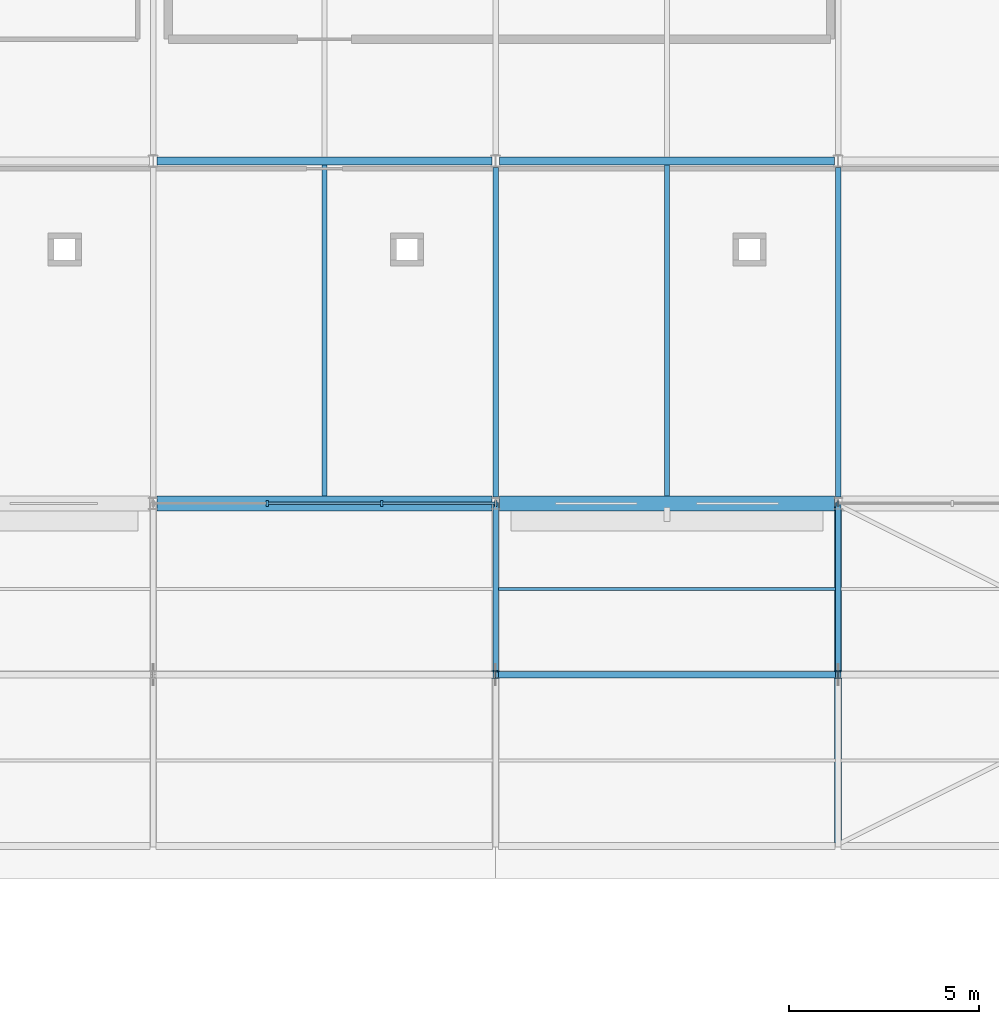
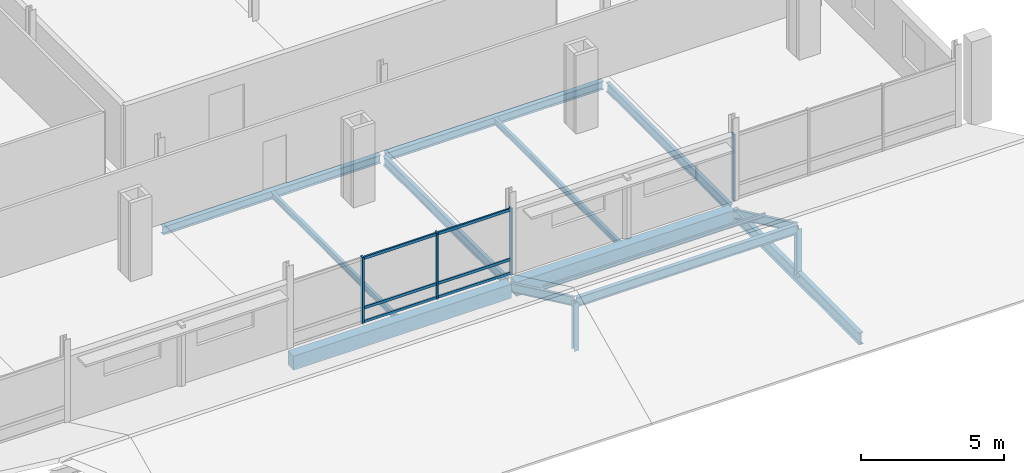
# One storey, part 80 of 132: 16 members, 9 beams, 2 elements without a shape of their own.
"""IFC4 building model written with IfcOpenShell, lengths in metres."""

import ifcopenshell
import ifcopenshell.guid

model = None  # the IFC model being written
_history = None  # IfcOwnerHistory: only IFC2X3 demands one
_inside = {}  # id of a spatial element -> (the spatial element, [elements in it])
_under = {}  # id of a project, library or spatial element -> (it, [spatial elements below it])
_declared = {}  # id of a project -> (the project, [libraries it declares])
_typed = {}  # id of a type object -> (the type object, [elements of that type])
_made_of = {}  # id of a material, layer set ... -> (it, [elements and type objects made of it])


def new_model(schema):
    """Start an empty IFC model of exactly this schema.

    Asked for "IFC4X3", IfcOpenShell would pick the latest addendum, in which some entities
    have other attributes; the version numbers below select the first issue.
    IFC2X3 requires an IfcOwnerHistory on every rooted entity: one is made here for all.
    """
    global model, _history
    if schema == "IFC4X3":
        model = ifcopenshell.file(schema_version=(4, 3, 0, 0))
    else:
        model = ifcopenshell.file(schema=schema)
    _inside.clear()
    _under.clear()
    _declared.clear()
    _typed.clear()
    _made_of.clear()
    _history = None
    if model.schema == "IFC2X3":
        org = make("IfcOrganization", Name="unknown")
        user = make(
            "IfcPersonAndOrganization",
            ThePerson=make("IfcPerson", FamilyName="unknown"),
            TheOrganization=org,
        )
        app = make(
            "IfcApplication",
            ApplicationDeveloper=org,
            Version="unknown",
            ApplicationFullName="unknown",
            ApplicationIdentifier="unknown",
        )
        _history = make(
            "IfcOwnerHistory",
            OwningUser=user,
            OwningApplication=app,
            ChangeAction="ADDED",
            CreationDate=0,
        )
    return model


def make(cls, **values):
    """One entity of the class cls with the attributes given. An attribute that is None is left unset."""
    return model.create_entity(
        cls, **{name: value for name, value in values.items() if value is not None}
    )


def rooted(cls, **values):
    """An entity with a GlobalId (a new one), such as an element, a storey or a relation."""
    return make(cls, GlobalId=ifcopenshell.guid.new(), OwnerHistory=_history, **values)


def si_unit(unit_type, name, prefix=None):
    """IfcSIUnit, for example si_unit("LENGTHUNIT", "METRE", prefix="MILLI")."""
    return make("IfcSIUnit", UnitType=unit_type, Prefix=prefix, Name=name)


def assignment(units):
    """IfcUnitAssignment: the units of a project."""
    return None if units is None else make("IfcUnitAssignment", Units=units)


def point(xyz):
    """IfcCartesianPoint."""
    return None if xyz is None else make("IfcCartesianPoint", Coordinates=xyz)


def direction(xyz):
    """IfcDirection."""
    return None if xyz is None else make("IfcDirection", DirectionRatios=xyz)


def frame(location, z_axis=None, x_axis=None):
    """IfcAxis2Placement3D, a coordinate frame: its origin and axes. An axis left out is left unset."""
    return make(
        "IfcAxis2Placement3D",
        Location=point(location),
        Axis=direction(z_axis),
        RefDirection=direction(x_axis),
    )


def frame_2d(location, x_axis=None):
    """IfcAxis2Placement2D, a coordinate frame in the plane: its origin and x axis."""
    return make(
        "IfcAxis2Placement2D", Location=point(location), RefDirection=direction(x_axis)
    )


def origin():
    """The frame at (0, 0, 0) with its axes left unset."""
    return frame((0.0, 0.0, 0.0))


def origin_2d():
    """The frame at (0, 0) in the plane with its x axis left unset."""
    return frame_2d((0.0, 0.0))


def place(relative_to, where):
    """IfcLocalPlacement: puts the frame where relative to a parent placement (None: the world)."""
    return make(
        "IfcLocalPlacement", PlacementRelTo=relative_to, RelativePlacement=where
    )


def context(
    kind, dimensions, precision=None, world=None, true_north=None, identifier=None
):
    """IfcGeometricRepresentationContext, for example the 3D "Model" context."""
    return make(
        "IfcGeometricRepresentationContext",
        ContextIdentifier=identifier,
        ContextType=kind,
        CoordinateSpaceDimension=dimensions,
        Precision=precision,
        WorldCoordinateSystem=world,
        TrueNorth=true_north,
    )


def subcontext(parent, identifier, kind, view, scale=None):
    """IfcGeometricRepresentationSubContext, for example "Body" below "Model"."""
    return make(
        "IfcGeometricRepresentationSubContext",
        ContextIdentifier=identifier,
        ContextType=kind,
        ParentContext=parent,
        TargetScale=scale,
        TargetView=view,
    )


def project(units=None, contexts=None):
    """IfcProject with its units and contexts."""
    return rooted(
        "IfcProject",
        Name="project",
        RepresentationContexts=contexts,
        UnitsInContext=assignment(units),
    )


def spatial(cls, under=None, at=None, **own):
    """A site, building, storey or space (cls), placed at a placement, below another one or the project."""
    s = rooted(cls, ObjectPlacement=at, **own)
    if under is not None:
        _under.setdefault(under.id(), (under, []))[1].append(s)
    return s


def profile(cls, at=None, kind="AREA", **sizes):
    """A parametric profile (cls). Its sizes go by their IFC names, for example OverallWidth=200.0."""
    return make(cls, ProfileType=kind, Position=at, **sizes)


def rectangle(**sizes):
    """IfcRectangleProfileDef."""
    return profile("IfcRectangleProfileDef", **sizes)


def i_section(**sizes):
    """IfcIShapeProfileDef."""
    return profile("IfcIShapeProfileDef", **sizes)


def extrude(swept, where, along, depth):
    """IfcExtrudedAreaSolid: the profile swept, set in the frame where, extruded along a direction by depth."""
    return make(
        "IfcExtrudedAreaSolid",
        SweptArea=swept,
        Position=where,
        ExtrudedDirection=direction(along),
        Depth=depth,
    )


def shape(context_of_items, identifier, shape_type, items):
    """IfcShapeRepresentation: the items that make up one representation, for example the "Body"."""
    return make(
        "IfcShapeRepresentation",
        ContextOfItems=context_of_items,
        RepresentationIdentifier=identifier,
        RepresentationType=shape_type,
        Items=items,
    )


def material(Name=None, Category=None):
    """IfcMaterial."""
    return make("IfcMaterial", Name=Name, Category=Category)


def material_profile(
    of_material, cross_section, Name=None, Category=None, Priority=None
):
    """IfcMaterialProfile: a cross section and its material."""
    return make(
        "IfcMaterialProfile",
        Name=Name,
        Material=of_material,
        Profile=cross_section,
        Priority=Priority,
        Category=Category,
    )


def profile_set(profiles, Name=None, composite=None):
    """IfcMaterialProfileSet."""
    return make(
        "IfcMaterialProfileSet",
        Name=Name,
        MaterialProfiles=profiles,
        CompositeProfile=composite,
    )


def made_of(thing, what):
    """Note that an element or type object is made of a material, layer set ...; save() writes the relation."""
    if what is not None:
        _made_of.setdefault(what.id(), (what, []))[1].append(thing)
    return thing


def type_object(cls, material=None, **own):
    """A type object (cls), such as IfcWallType, which elements share."""
    return made_of(rooted(cls, **own), material)


def element(
    cls,
    number,
    at=None,
    inside=None,
    cuts=None,
    type_object=None,
    material=None,
    context=None,
    identifier="Body",
    shape_type=None,
    held_by="IfcProductDefinitionShape",
    body=None,
    shapes=None,
    **own,
):
    """One element of the class cls, such as IfcWall. Its Tag is "e" and its number.

    at: its placement. inside: the storey or other place that contains it. cuts: it is an
    opening in that element (IfcRelVoidsElement). A single representation is given by context,
    identifier, shape_type and body (its items); several are given by shapes. held_by: the class
    of the entity that holds the representations. save() writes the other relations.
    """
    e = rooted(cls, Tag="e%d" % number, ObjectPlacement=at, **own)
    if body is not None:
        shapes = [shape(context, identifier, shape_type, body)]
    if shapes is not None:
        e.Representation = make(held_by, Representations=shapes)
    if inside is not None:
        _inside.setdefault(inside.id(), (inside, []))[1].append(e)
    if cuts is not None:
        rooted(
            "IfcRelVoidsElement", RelatingBuildingElement=cuts, RelatedOpeningElement=e
        )
    if type_object is not None:
        _typed.setdefault(type_object.id(), (type_object, []))[1].append(e)
    return made_of(e, material)


def aggregate(whole, parts):
    """IfcRelAggregates: a whole, such as a stair, and the parts it consists of."""
    return rooted("IfcRelAggregates", RelatingObject=whole, RelatedObjects=parts)


def save(model, path):
    """Write the relations noted so far, then the file.

    IfcRelAggregates (storeys below a building ...), IfcRelContainedInSpatialStructure (elements
    in a storey), IfcRelDefinesByType, IfcRelAssociatesMaterial and IfcRelDeclares: one each for
    every whole, place, type object, material and project.
    """
    for whole, parts in _under.values():
        aggregate(whole, parts)
    for where, things in _inside.values():
        rooted(
            "IfcRelContainedInSpatialStructure",
            RelatedElements=things,
            RelatingStructure=where,
        )
    for kind, things in _typed.values():
        rooted("IfcRelDefinesByType", RelatedObjects=things, RelatingType=kind)
    for what, things in _made_of.values():
        rooted("IfcRelAssociatesMaterial", RelatedObjects=things, RelatingMaterial=what)
    for by, libraries in _declared.values():
        rooted("IfcRelDeclares", RelatingContext=by, RelatedDefinitions=libraries)
    model.write(path)


model = new_model("IFC4")

# Units and contexts
model_context = context("Model", 3, precision=1e-05, world=origin(), true_north=direction((0.0, 1.0)))
body_context = subcontext(model_context, "Body", "Model", "MODEL_VIEW")
ifc_project = project(units=[si_unit("LENGTHUNIT", "METRE"), si_unit("AREAUNIT", "SQUARE_METRE"), si_unit("VOLUMEUNIT", "CUBIC_METRE"), si_unit("PLANEANGLEUNIT", "RADIAN"), si_unit("MASSUNIT", "GRAM", prefix="KILO")], contexts=[model_context])

# Site, building, storey
site_placement = place(None, origin())
site = spatial("IfcSite", under=ifc_project, at=site_placement, CompositionType="ELEMENT")
building_placement = place(site_placement, origin())
building = spatial("IfcBuilding", under=site, at=building_placement, Name="Tharagai Park Tramway Depot", CompositionType="ELEMENT")
storey_placement = place(building_placement, frame((0.0, 0.0, 4.800048828125)))
storey = spatial("IfcBuildingStorey", under=building, at=storey_placement, Name="L01", CompositionType="ELEMENT", Elevation=4.800048828125)

# Beams
ifc_material_1 = material(Name="Steel E350", Category="steel")
ifc_material_profile_1 = material_profile(ifc_material_1, i_section(OverallWidth=0.139892578125, OverallDepth=0.39990234375, WebThickness=0.0087890625, FlangeThickness=0.01611328125, FilletRadius=0.013916015625, at=origin_2d()), Name="ISMB 400")
ifc_profile_set_1 = profile_set([ifc_material_profile_1], Name="Steel E350")
beam_type_1 = type_object("IfcBeamType", Name="BM-06", PredefinedType="BEAM", material=ifc_profile_set_1)
for number, where, z_axis, x_axis, name in (
    (1, (198.0, 99.175048828125, -0.47998046875), (0.0, 1.0, 0.0), (-1.0, 0.0, 0.0), "L01 Grid Beam BM-06"),
    (2, (207.0, 99.175048828125, -0.47998046875), (0.0, 1.0, 0.0), (-1.0, 0.0, 0.0), "L01 Grid Beam BM-06"),
):
    element("IfcBeam", number, at=place(storey_placement, frame(where, z_axis=z_axis, x_axis=x_axis)), inside=storey, type_object=beam_type_1, Name=name, PredefinedType="BEAM", context=body_context, shape_type="SweptSolid", body=[
        extrude(i_section(OverallWidth=0.139892578125, OverallDepth=0.39990234375, WebThickness=0.0087890625, FlangeThickness=0.01611328125, FilletRadius=0.013916015625, at=origin_2d()), origin(), (0.0, 0.0, 1.0), 8.64990234375),
    ])
ifc_material_profile_2 = material_profile(ifc_material_1, i_section(OverallWidth=0.199951171875, OverallDepth=0.35009765625, WebThickness=0.008056640625, FlangeThickness=0.011474609375, FilletRadius=0.011962890625, at=origin_2d()), Name="ISWB 350")
ifc_profile_set_2 = profile_set([ifc_material_profile_2], Name="Steel E350")
beam_type_2 = type_object("IfcBeamType", Name="BM-15", PredefinedType="BEAM", material=ifc_profile_set_2)
for number, where, z_axis, x_axis, name in (
    (3, (189.10009765625, 108.0, -0.455078125), (1.0, 0.0, 0.0), (0.0, 1.0, 0.0), "L01 Grid Beam BM-15"),
    (4, (198.10009765625, 108.0, -0.455078125), (1.0, 0.0, 0.0), (0.0, 1.0, 0.0), "L01 Grid Beam BM-15"),
):
    element("IfcBeam", number, at=place(storey_placement, frame(where, z_axis=z_axis, x_axis=x_axis)), inside=storey, type_object=beam_type_2, Name=name, PredefinedType="BEAM", context=body_context, shape_type="SweptSolid", body=[
        extrude(i_section(OverallWidth=0.199951171875, OverallDepth=0.35009765625, WebThickness=0.008056640625, FlangeThickness=0.011474609375, FilletRadius=0.011962890625, at=origin_2d()), origin(), (0.0, 0.0, 1.0), 8.7998046875),
    ])
ifc_material_profile_3 = material_profile(ifc_material_1, i_section(OverallWidth=0.179931640625, OverallDepth=0.5, WebThickness=0.01025390625, FlangeThickness=0.01708984375, FilletRadius=0.01708984375, at=origin_2d()), Name="ISMB 500")
ifc_profile_set_3 = profile_set([ifc_material_profile_3], Name="Steel E350")
beam_type_3 = type_object("IfcBeamType", Name="BM-18", PredefinedType="BEAM", material=ifc_profile_set_3)
beam_placement = place(storey_placement, frame((207.0, 90.080078125, -0.5), z_axis=(0.0, 1.0, 0.0), x_axis=(-1.0, 0.0, 0.0)))
element("IfcBeam", 5, at=beam_placement, inside=storey, type_object=beam_type_3, Name="V3A Gable Tie Girder BM-18", PredefinedType="BEAM", context=body_context, shape_type="SweptSolid", body=[
    extrude(i_section(OverallWidth=0.179931640625, OverallDepth=0.5, WebThickness=0.01025390625, FlangeThickness=0.01708984375, FilletRadius=0.01708984375, at=origin_2d()), origin(), (0.0, 0.0, 1.0), 8.83984375),
])

# Members
ifc_material_profile_4 = material_profile(ifc_material_1, i_section(OverallWidth=0.199951171875, OverallDepth=0.199951171875, WebThickness=0.0078125, FlangeThickness=0.009033203125, FilletRadius=0.009033203125, at=origin_2d()), Name="ISHB 200")
ifc_profile_set_4 = profile_set([ifc_material_profile_4], Name="Steel E350")
member_type_1 = type_object("IfcMemberType", Name="BR-10", PredefinedType="BRACE", material=ifc_profile_set_4)
for number, where, z_axis, x_axis, name in (
    (6, (198.0, 94.5, -0.5), (0.0, 0.0, 1.0), (1.0, 0.0, 0.0), "V3A Gable King Strut BR-10"),
    (7, (207.0, 94.5, -0.5), (0.0, 0.0, 1.0), (1.0, 0.0, 0.0), "V3A Gable King Strut BR-10"),
):
    element("IfcMember", number, at=place(storey_placement, frame(where, z_axis=z_axis, x_axis=x_axis)), inside=storey, type_object=member_type_1, Name=name, PredefinedType="BRACE", context=body_context, shape_type="SweptSolid", body=[
        extrude(i_section(OverallWidth=0.199951171875, OverallDepth=0.199951171875, WebThickness=0.0078125, FlangeThickness=0.009033203125, FilletRadius=0.009033203125, at=origin_2d()), origin(), (0.0, 0.0, 1.0), 2.065673828125),
    ])

# Curtain wall, members
ifc_material_2 = material(Name="Anodised aluminium", Category="aluminium")
curtain_wall_type = type_object("IfcCurtainWallType", Name="CW-01", PredefinedType="NOTDEFINED", material=ifc_material_2)
curtain_wall_1_placement = place(storey_placement, origin())
curtain_wall_1 = element("IfcCurtainWall", 8, at=curtain_wall_1_placement, inside=storey, type_object=curtain_wall_type, Name="L01 V3 Gothic Mullioned Curtain Wall CW-01", PredefinedType="NOTDEFINED")
ifc_material_profile_5 = material_profile(ifc_material_2, rectangle(XDim=0.06494140625, YDim=0.1201171875, at=origin_2d()), Name="ALU 65x120")
ifc_profile_set_5 = profile_set([ifc_material_profile_5], Name="Anodised aluminium")
member_type_2 = type_object("IfcMemberType", Name="CM-01", PredefinedType="USERDEFINED", material=ifc_profile_set_5)
member_1_placement = place(storey_placement, frame((192.013671875, 99.0, 0.06005859375), z_axis=(1.0, 0.0, 0.0), x_axis=(0.0, 1.0, 0.0)))
member_1 = element("IfcMember", 9, at=member_1_placement, type_object=member_type_2, Name="L01 V3 Gothic Mullioned Curtain Wall Transom 2.1", ObjectType="TRANSOM", PredefinedType="USERDEFINED", context=body_context, shape_type="SweptSolid", body=[
    extrude(rectangle(XDim=0.06494140625, YDim=0.1201171875, at=origin_2d()), origin(), (0.0, 0.0, 1.0), 2.97265625),
])
member_2_placement = place(storey_placement, frame((192.013671875, 99.0, 0.64990234375), z_axis=(1.0, 0.0, 0.0), x_axis=(0.0, 1.0, 0.0)))
member_2 = element("IfcMember", 10, at=member_2_placement, type_object=member_type_2, Name="L01 V3 Gothic Mullioned Curtain Wall Transom 2.2", ObjectType="TRANSOM", PredefinedType="USERDEFINED", context=body_context, shape_type="SweptSolid", body=[
    extrude(rectangle(XDim=0.06494140625, YDim=0.1201171875, at=origin_2d()), origin(), (0.0, 0.0, 1.0), 2.97265625),
])
member_3_placement = place(storey_placement, frame((192.013671875, 99.0, 2.77001953125), z_axis=(1.0, 0.0, 0.0), x_axis=(0.0, 1.0, 0.0)))
member_3 = element("IfcMember", 11, at=member_3_placement, type_object=member_type_2, Name="L01 V3 Gothic Mullioned Curtain Wall Transom 2.3", ObjectType="TRANSOM", PredefinedType="USERDEFINED", context=body_context, shape_type="SweptSolid", body=[
    extrude(rectangle(XDim=0.06494140625, YDim=0.1201171875, at=origin_2d()), origin(), (0.0, 0.0, 1.0), 2.97265625),
])
member_4_placement = place(storey_placement, frame((195.016357421875, 99.0, 0.06005859375), z_axis=(1.0, 0.0, 0.0), x_axis=(0.0, 1.0, 0.0)))
member_4 = element("IfcMember", 12, at=member_4_placement, type_object=member_type_2, Name="L01 V3 Gothic Mullioned Curtain Wall Transom 3.1", ObjectType="TRANSOM", PredefinedType="USERDEFINED", context=body_context, shape_type="SweptSolid", body=[
    extrude(rectangle(XDim=0.06494140625, YDim=0.1201171875, at=origin_2d()), origin(), (0.0, 0.0, 1.0), 2.97265625),
])
member_5_placement = place(storey_placement, frame((195.016357421875, 99.0, 0.64990234375), z_axis=(1.0, 0.0, 0.0), x_axis=(0.0, 1.0, 0.0)))
member_5 = element("IfcMember", 13, at=member_5_placement, type_object=member_type_2, Name="L01 V3 Gothic Mullioned Curtain Wall Transom 3.2", ObjectType="TRANSOM", PredefinedType="USERDEFINED", context=body_context, shape_type="SweptSolid", body=[
    extrude(rectangle(XDim=0.06494140625, YDim=0.1201171875, at=origin_2d()), origin(), (0.0, 0.0, 1.0), 2.97265625),
])
member_6_placement = place(storey_placement, frame((195.016357421875, 99.0, 2.77001953125), z_axis=(1.0, 0.0, 0.0), x_axis=(0.0, 1.0, 0.0)))
member_6 = element("IfcMember", 14, at=member_6_placement, type_object=member_type_2, Name="L01 V3 Gothic Mullioned Curtain Wall Transom 3.3", ObjectType="TRANSOM", PredefinedType="USERDEFINED", context=body_context, shape_type="SweptSolid", body=[
    extrude(rectangle(XDim=0.06494140625, YDim=0.1201171875, at=origin_2d()), origin(), (0.0, 0.0, 1.0), 2.97265625),
])
ifc_material_profile_6 = material_profile(ifc_material_2, rectangle(XDim=0.06494140625, YDim=0.14990234375, at=origin_2d()), Name="ALU 65x150")
ifc_profile_set_6 = profile_set([ifc_material_profile_6], Name="Anodised aluminium")
member_type_3 = type_object("IfcMemberType", Name="CM-03", PredefinedType="MULLION", material=ifc_profile_set_6)
member_7_placement = place(storey_placement, frame((191.998779296875, 99.0, -0.005126953125), z_axis=(0.0, 0.0, 1.0), x_axis=(1.0, 0.0, 0.0)))
member_7 = element("IfcMember", 15, at=member_7_placement, type_object=member_type_3, Name="L01 V3 Gothic Mullioned Curtain Wall Mullion 2", PredefinedType="MULLION", context=body_context, shape_type="SweptSolid", body=[
    extrude(rectangle(XDim=0.06494140625, YDim=0.14990234375, at=origin_2d()), origin(), (0.0, 0.0, 1.0), 2.860107421875),
])
member_8_placement = place(storey_placement, frame((195.001220703125, 99.0, -0.005126953125), z_axis=(0.0, 0.0, 1.0), x_axis=(1.0, 0.0, 0.0)))
member_8 = element("IfcMember", 16, at=member_8_placement, type_object=member_type_3, Name="L01 V3 Gothic Mullioned Curtain Wall Mullion 3", PredefinedType="MULLION", context=body_context, shape_type="SweptSolid", body=[
    extrude(rectangle(XDim=0.06494140625, YDim=0.14990234375, at=origin_2d()), origin(), (0.0, 0.0, 1.0), 2.860107421875),
])
member_9_placement = place(storey_placement, frame((198.00390625, 99.0, -0.005126953125), z_axis=(0.0, 0.0, 1.0), x_axis=(1.0, 0.0, 0.0)))
member_9 = element("IfcMember", 17, at=member_9_placement, type_object=member_type_3, Name="L01 V3 Gothic Mullioned Curtain Wall Mullion 4", PredefinedType="MULLION", context=body_context, shape_type="SweptSolid", body=[
    extrude(rectangle(XDim=0.06494140625, YDim=0.14990234375, at=origin_2d()), origin(), (0.0, 0.0, 1.0), 2.860107421875),
])
aggregate(curtain_wall_1, [member_7, member_8, member_9, member_1, member_2, member_3, member_4, member_5, member_6])

# Curtain wall, member
curtain_wall_2_placement = place(storey_placement, origin())
curtain_wall_2 = element("IfcCurtainWall", 18, at=curtain_wall_2_placement, inside=storey, type_object=curtain_wall_type, Name="L01 V3 Gothic Mullioned Curtain Wall CW-01", PredefinedType="NOTDEFINED")
member_10_placement = place(storey_placement, frame((206.99609375, 99.0, -0.005126953125), z_axis=(0.0, 0.0, 1.0), x_axis=(1.0, 0.0, 0.0)))
member_10 = element("IfcMember", 19, at=member_10_placement, type_object=member_type_3, Name="L01 V3 Gothic Mullioned Curtain Wall Mullion 1", PredefinedType="MULLION", context=body_context, shape_type="SweptSolid", body=[
    extrude(rectangle(XDim=0.06494140625, YDim=0.14990234375, at=origin_2d()), origin(), (0.0, 0.0, 1.0), 2.860107421875),
])
aggregate(curtain_wall_2, [member_10])

# Beams
ifc_material_3 = material(Name="Steel E250", Category="steel")
ifc_material_profile_7 = material_profile(ifc_material_3, i_section(OverallWidth=0.125, OverallDepth=0.25, WebThickness=0.0068359375, FlangeThickness=0.012451171875, FilletRadius=0.012939453125, at=origin_2d()), Name="ISMB 250")
ifc_profile_set_7 = profile_set([ifc_material_profile_7], Name="Steel E250")
beam_type_4 = type_object("IfcBeamType", Name="JT-02", PredefinedType="JOIST", material=ifc_profile_set_7)
for number, where, z_axis, x_axis, name in (
    (20, (193.5, 99.199951171875, -0.405029296875), (0.0, 1.0, 0.0), (-1.0, 0.0, 0.0), "L01 Secondary Joist JT-02"),
    (21, (202.5, 99.199951171875, -0.405029296875), (0.0, 1.0, 0.0), (-1.0, 0.0, 0.0), "L01 Secondary Joist JT-02"),
):
    element("IfcBeam", number, at=place(storey_placement, frame(where, z_axis=z_axis, x_axis=x_axis)), inside=storey, type_object=beam_type_4, Name=name, PredefinedType="JOIST", context=body_context, shape_type="SweptSolid", body=[
        extrude(i_section(OverallWidth=0.125, OverallDepth=0.25, WebThickness=0.0068359375, FlangeThickness=0.012451171875, FilletRadius=0.012939453125, at=origin_2d()), origin(), (0.0, 0.0, 1.0), 8.699951171875),
    ])

# Members
ifc_material_profile_8 = material_profile(ifc_material_3, i_section(OverallWidth=0.080078125, OverallDepth=0.14990234375, WebThickness=0.0048828125, FlangeThickness=0.007568359375, FilletRadius=0.009033203125, at=origin_2d()), Name="ISMB 150")
ifc_profile_set_8 = profile_set([ifc_material_profile_8], Name="Steel E250")
member_type_4 = type_object("IfcMemberType", Name="PR-05", PredefinedType="PURLIN", material=ifc_profile_set_8)
member_11_placement = place(storey_placement, frame((198.02001953125, 96.75, 0.771484375), z_axis=(1.0, 0.0, 0.0), x_axis=(0.0, 1.0, 0.0)))
element("IfcMember", 22, at=member_11_placement, inside=storey, type_object=member_type_4, Name="V3A Roof Purlin PR-05", PredefinedType="PURLIN", context=body_context, shape_type="SweptSolid", body=[
    extrude(i_section(OverallWidth=0.080078125, OverallDepth=0.14990234375, WebThickness=0.0048828125, FlangeThickness=0.007568359375, FilletRadius=0.009033203125, at=origin_2d()), origin(), (0.0, 0.0, 1.0), 8.9599609375),
])
ifc_material_profile_9 = material_profile(ifc_material_1, i_section(OverallWidth=0.139892578125, OverallDepth=0.35009765625, WebThickness=0.008056640625, FlangeThickness=0.01416015625, FilletRadius=0.013916015625, at=origin_2d()), Name="ISMB 350")
ifc_profile_set_9 = profile_set([ifc_material_profile_9], Name="Steel E350")
member_type_5 = type_object("IfcMemberType", Name="RF-01", PredefinedType="RAFTER", material=ifc_profile_set_9)
for number, where, z_axis, x_axis, name in (
    (23, (198.0, 94.5, 1.565673828125), (0.0, 0.904482163098, -0.426511449598), (-1.0, 0.0, 0.0), "V3A Pitched Rafter RF-01 North"),
    (24, (207.0, 94.5, 1.565673828125), (0.0, 0.904482163098, -0.426511449598), (-1.0, 0.0, 0.0), "V3A Pitched Rafter RF-01 North"),
):
    element("IfcMember", number, at=place(storey_placement, frame(where, z_axis=z_axis, x_axis=x_axis)), inside=storey, type_object=member_type_5, Name=name, PredefinedType="RAFTER", context=body_context, shape_type="SweptSolid", body=[
        extrude(i_section(OverallWidth=0.139892578125, OverallDepth=0.35009765625, WebThickness=0.008056640625, FlangeThickness=0.01416015625, FilletRadius=0.013916015625, at=origin_2d()), origin(), (0.0, 0.0, 1.0), 4.919921875),
    ])

# Beams
ifc_material_4 = material(Name="Concrete M35", Category="concrete")
ifc_material_profile_10 = material_profile(ifc_material_4, rectangle(XDim=0.39990234375, YDim=0.60009765625, at=origin_2d()), Name="RC 400x600")
ifc_profile_set_10 = profile_set([ifc_material_profile_10], Name="Concrete M35")
beam_type_5 = type_object("IfcBeamType", Name="SP-02", PredefinedType="SPANDREL", material=ifc_profile_set_10)
for number, where, z_axis, x_axis, name in (
    (25, (189.10009765625, 99.0, -0.580078125), (1.0, 0.0, 0.0), (0.0, 1.0, 0.0), "L01 Grid Beam SP-02"),
    (26, (198.10009765625, 99.0, -0.580078125), (1.0, 0.0, 0.0), (0.0, 1.0, 0.0), "L01 Grid Beam SP-02"),
):
    element("IfcBeam", number, at=place(storey_placement, frame(where, z_axis=z_axis, x_axis=x_axis)), inside=storey, type_object=beam_type_5, Name=name, PredefinedType="SPANDREL", context=body_context, shape_type="SweptSolid", body=[
        extrude(rectangle(XDim=0.39990234375, YDim=0.60009765625, at=origin_2d()), origin(), (0.0, 0.0, 1.0), 8.7998046875),
    ])

# Member
ifc_material_profile_11 = material_profile(ifc_material_1, i_section(OverallWidth=0.1650390625, OverallDepth=0.39990234375, WebThickness=0.008056640625, FlangeThickness=0.012451171875, FilletRadius=0.013916015625, at=origin_2d()), Name="ISLB 400")
ifc_profile_set_11 = profile_set([ifc_material_profile_11], Name="Steel E350")
member_type_6 = type_object("IfcMemberType", Name="TC-04", PredefinedType="CHORD", material=ifc_profile_set_11)
member_12_placement = place(storey_placement, frame((198.0400390625, 94.5, 1.540771484375), z_axis=(1.0, 0.0, 0.0), x_axis=(0.0, 1.0, 0.0)))
element("IfcMember", 27, at=member_12_placement, inside=storey, type_object=member_type_6, Name="V3A Roof Ridge Chord TC-04", PredefinedType="CHORD", context=body_context, shape_type="SweptSolid", body=[
    extrude(i_section(OverallWidth=0.1650390625, OverallDepth=0.39990234375, WebThickness=0.008056640625, FlangeThickness=0.012451171875, FilletRadius=0.013916015625, at=origin_2d()), origin(), (0.0, 0.0, 1.0), 8.919921875),
])

save(model, "model.ifc")
